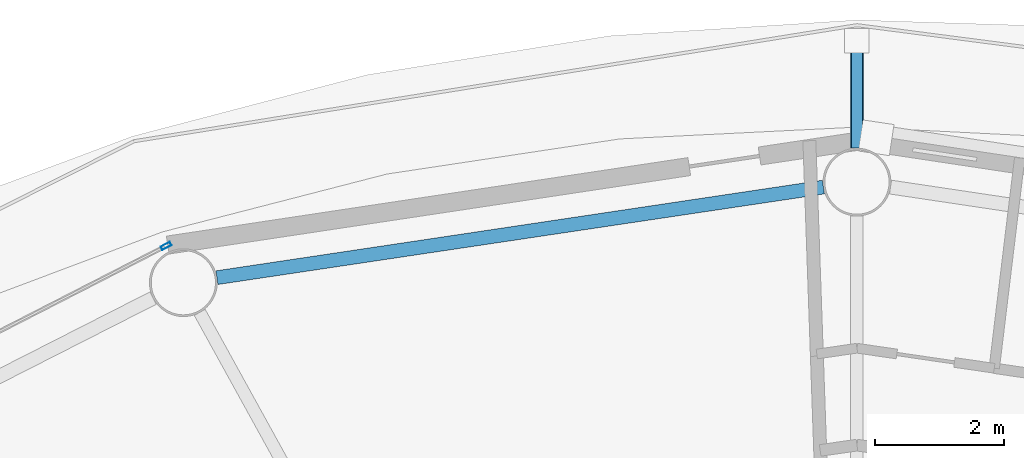
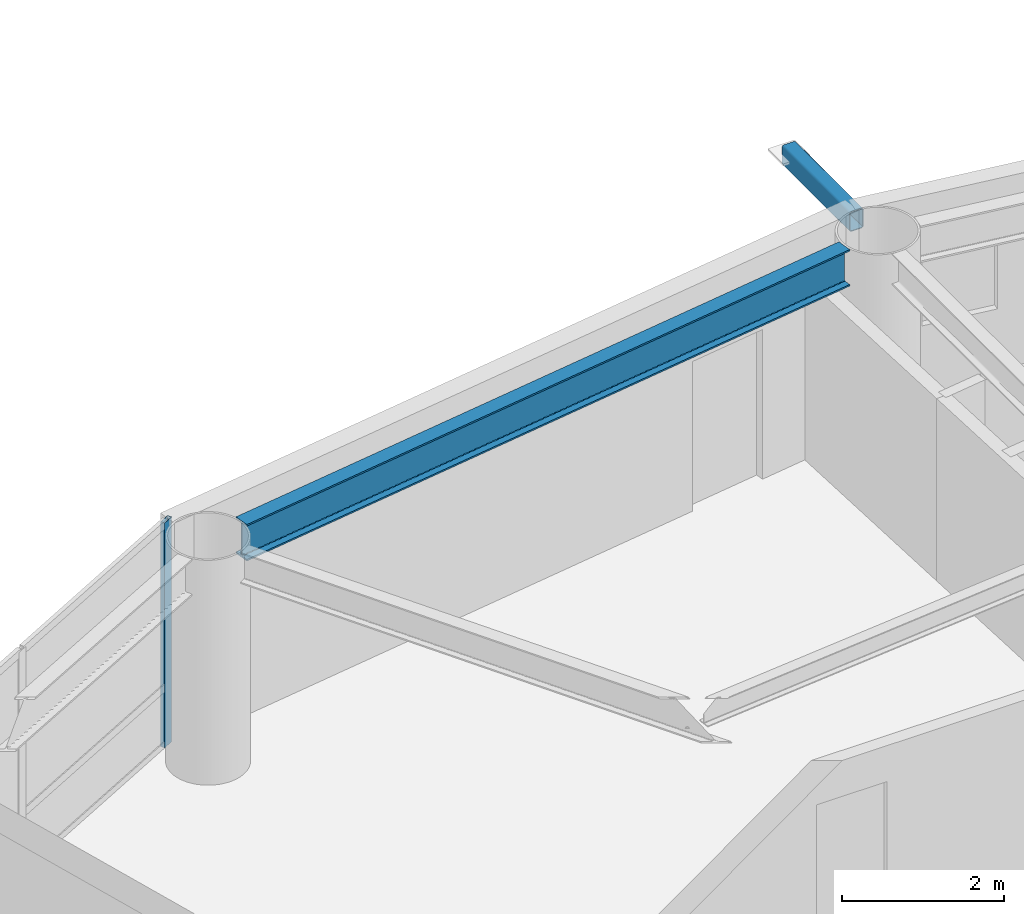
# One storey, part 13 of 29: 2 members, 1 beam, 1 element without a shape of its own.
"""IFC4 building model written with IfcOpenShell, lengths in metres."""

from ifc_helpers import new_model, si_unit, direction, frame, origin, origin_2d, place, context, subcontext, project, spatial, hollow_rectangle, i_section, extrude, material, layer, layer_set, material_profile, profile_set, type_object, element, aggregate, save


model = new_model("IFC4")

# Units and contexts
model_context = context("Model", 3, precision=1e-05, world=origin(), true_north=direction((0.0, 1.0)))
body_context = subcontext(model_context, "Body", "Model", "MODEL_VIEW")
ifc_project = project(units=[si_unit("LENGTHUNIT", "METRE"), si_unit("AREAUNIT", "SQUARE_METRE"), si_unit("VOLUMEUNIT", "CUBIC_METRE"), si_unit("PLANEANGLEUNIT", "RADIAN"), si_unit("MASSUNIT", "GRAM", prefix="KILO")], contexts=[model_context])

# Site, building, storey
site_placement = place(None, origin())
site = spatial("IfcSite", under=ifc_project, at=site_placement, CompositionType="ELEMENT")
building_placement = place(site_placement, origin())
building = spatial("IfcBuilding", under=site, at=building_placement, Name="Sarneth Arch Tower", CompositionType="ELEMENT")
storey_placement = place(building_placement, frame((0.0, 0.0, 165.0)))
storey = spatial("IfcBuildingStorey", under=building, at=storey_placement, Name="L41", CompositionType="ELEMENT", Elevation=165.0)

# Beam
ifc_material_1 = material(Name="Steel S355", Category="steel")
ifc_material_profile_1 = material_profile(ifc_material_1, i_section(OverallWidth=0.214111328125, OverallDepth=0.549072265625, WebThickness=0.0146484375, FlangeThickness=0.023681640625, FilletRadius=0.01806640625, at=origin_2d()), Name="W530x138")
ifc_profile_set_1 = profile_set([ifc_material_profile_1], Name="Steel S355")
beam_type = type_object("IfcBeamType", Name="BM-RAD-530A", PredefinedType="BEAM", material=ifc_profile_set_1)
beam_placement = place(storey_placement, frame((47.480712890625, 62.37255859375, 3.10546875), z_axis=(-0.989027145133, -0.14773390332, 0.0), x_axis=(0.14773390332, -0.989027145133, 0.0)))
element("IfcBeam", 1, at=beam_placement, inside=storey, type_object=beam_type, Name="L41 Perimeter spandrel beam 05", PredefinedType="BEAM", context=body_context, shape_type="SweptSolid", body=[
    extrude(i_section(OverallWidth=0.214111328125, OverallDepth=0.549072265625, WebThickness=0.0146484375, FlangeThickness=0.023681640625, FilletRadius=0.01806640625, at=origin_2d()), origin(), (0.0, 0.0, 1.0), 9.4873046875),
])

# Curtain wall, member
ifc_material_2 = material(Name="Anodised aluminium Type AA25 and solar-control low-e laminated IGU", Category="aluminium")
ifc_layer = layer(ifc_material_2, 0.169921875)
ifc_layer_set = layer_set([ifc_layer], Name="Anodised aluminium Type AA25 and solar-control low-e laminated IGU")
curtain_wall_type = type_object("IfcCurtainWallType", Name="CW-RES-MID", PredefinedType="NOTDEFINED", material=ifc_layer_set)
curtain_wall_placement = place(storey_placement, origin())
curtain_wall = element("IfcCurtainWall", 2, at=curtain_wall_placement, inside=storey, type_object=curtain_wall_type, Name="L41 Unitised curtain wall facet 06", PredefinedType="NOTDEFINED")
ifc_material_3 = material(Name="Anodised Aluminium 6063-T6", Category="aluminium")
ifc_material_profile_2 = material_profile(ifc_material_3, hollow_rectangle(XDim=0.06005859375, YDim=0.159912109375, WallThickness=0.00390625, at=origin_2d()), Name="AL-MULL-160x60x4")
ifc_profile_set_2 = profile_set([ifc_material_profile_2], Name="Anodised Aluminium 6063-T6")
member_type_1 = type_object("IfcMemberType", Name="CW-MULLION", PredefinedType="MULLION", material=ifc_profile_set_2)
member_1_placement = place(storey_placement, frame((37.310546875, 61.461669921875, 0.0), z_axis=(0.0, 0.0, 1.0), x_axis=(0.456208470329, -0.88987293003, 0.0)))
member_1 = element("IfcMember", 3, at=member_1_placement, type_object=member_type_1, Name="CW-SYS-5 mullion 1", PredefinedType="MULLION", context=body_context, shape_type="SweptSolid", body=[
    extrude(hollow_rectangle(XDim=0.06005859375, YDim=0.159912109375, WallThickness=0.00390625, at=origin_2d()), origin(), (0.0, 0.0, 1.0), 3.3798828125),
])
aggregate(curtain_wall, [member_1])

# Member
ifc_material_4 = material(Name="Steel S355", Category="steel")
ifc_material_profile_3 = material_profile(ifc_material_4, hollow_rectangle(XDim=0.199951171875, YDim=0.300048828125, WallThickness=0.012451171875, InnerFilletRadius=0.018798828125, OuterFilletRadius=0.03125, at=origin_2d()), Name="RHS300x200x12.5")
ifc_profile_set_3 = profile_set([ifc_material_profile_3], Name="Steel S355")
member_type_2 = type_object("IfcMemberType", Name="MEM-CANT-STRUT", PredefinedType="STRUT", material=ifc_profile_set_3)
member_2_placement = place(storey_placement, frame((48.0, 62.97509765625, 3.219970703125), z_axis=(0.0, 1.0, 0.0), x_axis=(-1.0, 0.0, 0.0)))
element("IfcMember", 4, at=member_2_placement, inside=storey, type_object=member_type_2, Name="L41 Balcony cantilever bracket 05", PredefinedType="STRUT", context=body_context, shape_type="SweptSolid", body=[
    extrude(hollow_rectangle(XDim=0.199951171875, YDim=0.300048828125, WallThickness=0.012451171875, InnerFilletRadius=0.018798828125, OuterFilletRadius=0.03125, at=origin_2d()), origin(), (0.0, 0.0, 1.0), 1.658935546875),
])

save(model, "model.ifc")
